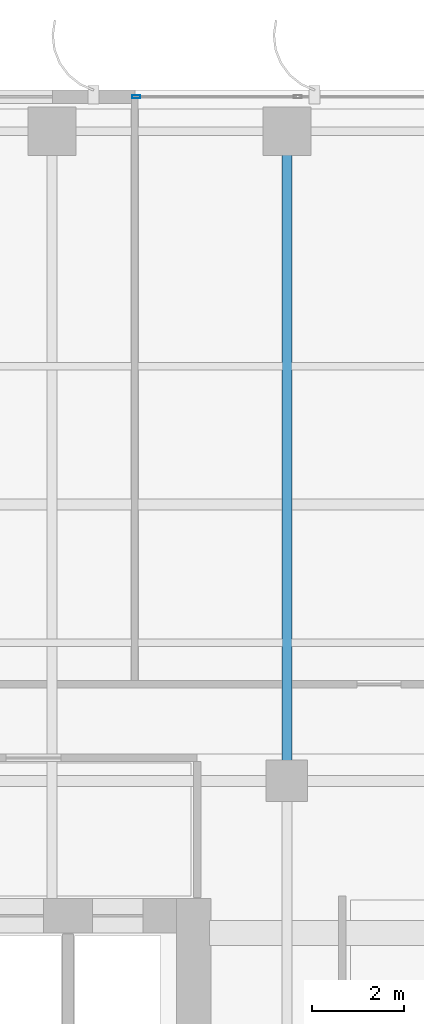
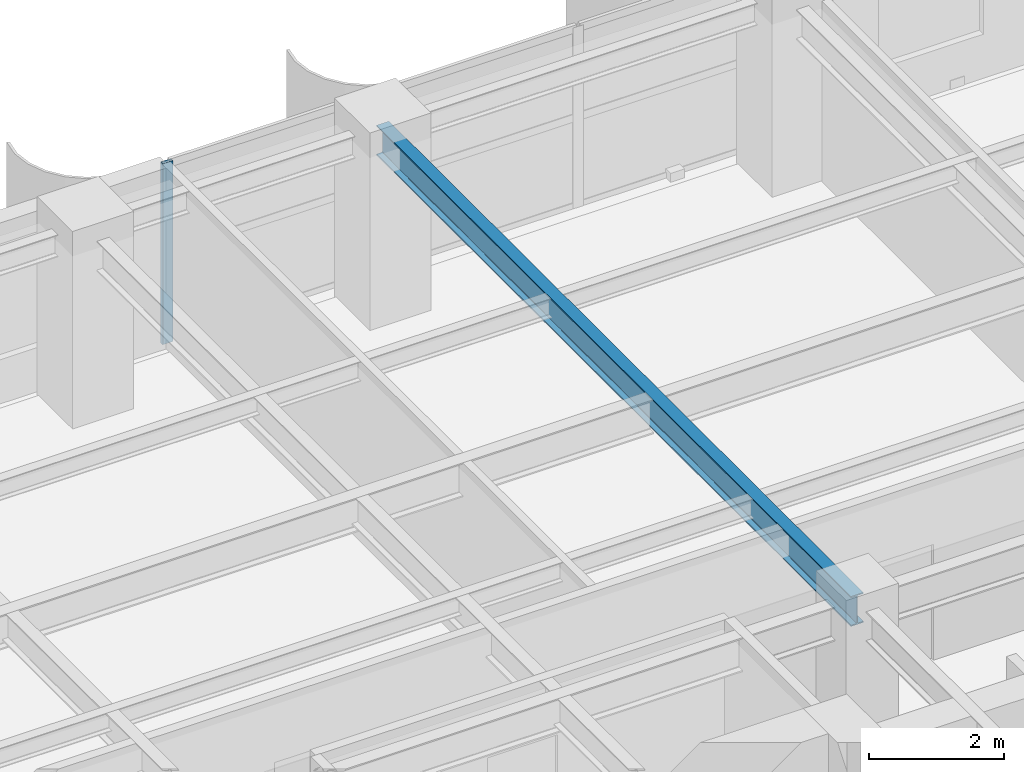
# One storey, part 16 of 28: 1 beam, 1 member, 1 element without a shape of its own.
"""IFC4 building model written with IfcOpenShell, lengths in metres."""

from ifc_helpers import new_model, si_unit, direction, frame, origin, origin_2d, place, context, subcontext, project, spatial, hollow_rectangle, i_section, extrude, source, transform, mapped, material, layer, layer_set, material_profile, profile_set, type_object, element, aggregate, save


model = new_model("IFC4")

# Units and contexts
model_context = context("Model", 3, precision=1e-05, world=origin(), true_north=direction((0.0, 1.0)))
body_context = subcontext(model_context, "Body", "Model", "MODEL_VIEW")
ifc_project = project(units=[si_unit("LENGTHUNIT", "METRE"), si_unit("AREAUNIT", "SQUARE_METRE"), si_unit("VOLUMEUNIT", "CUBIC_METRE"), si_unit("PLANEANGLEUNIT", "RADIAN"), si_unit("MASSUNIT", "GRAM", prefix="KILO")], contexts=[model_context])

# Site, building, storey
site_placement = place(None, origin())
site = spatial("IfcSite", under=ifc_project, at=site_placement, CompositionType="ELEMENT")
building_placement = place(site_placement, origin())
building = spatial("IfcBuilding", under=site, at=building_placement, Name="Khoralis Quay Care Tower", CompositionType="ELEMENT")
storey_placement = place(building_placement, frame((0.0, 0.0, 144.89990234375)))
storey = spatial("IfcBuildingStorey", under=building, at=storey_placement, Name="L38", CompositionType="ELEMENT", Elevation=144.89990234375)

# Beam
ifc_material_1 = material(Name="Steel S355", Category="steel")
ifc_material_profile_1 = material_profile(ifc_material_1, i_section(OverallWidth=0.2119140625, OverallDepth=0.5439453125, WebThickness=0.01318359375, FlangeThickness=0.021240234375, FilletRadius=0.01611328125, at=origin_2d()), Name="Steel S355")
ifc_profile_set_1 = profile_set([ifc_material_profile_1], Name="Steel S355")
beam_type = type_object("IfcBeamType", Name="BM-W530X123", PredefinedType="BEAM", material=ifc_profile_set_1)
shared_shape_1 = source(origin(), body_context, "Body", "SweptSolid", [
    extrude(i_section(OverallWidth=0.2119140625, OverallDepth=0.5439453125, WebThickness=0.01318359375, FlangeThickness=0.021240234375, FilletRadius=0.01611328125, at=origin_2d()), origin(), (0.0, 0.0, 1.0), 14.10009765625),
])
beam_placement = place(storey_placement, frame((17.10009765625, 30.0, 3.008056640625), z_axis=(0.0, 1.0, 0.0), x_axis=(-1.0, 0.0, 0.0)))
element("IfcBeam", 1, at=beam_placement, inside=storey, type_object=beam_type, Name="BM-TGYN-L38-171", PredefinedType="BEAM", context=body_context, shape_type="MappedRepresentation", body=[
    mapped(shared_shape_1, transform((0.0, 0.0, 0.0), scale=1.0)),
])

# Curtain wall, member
ifc_material_2 = material(Name="Pale anodised aluminium", Category="aluminium")
ifc_layer = layer(ifc_material_2, 0.169921875)
ifc_layer_set = layer_set([ifc_layer], Name="Pale anodised aluminium")
curtain_wall_type = type_object("IfcCurtainWallType", Name="CW-SYS-Z2", PredefinedType="NOTDEFINED", material=ifc_layer_set)
curtain_wall_placement = place(storey_placement, origin())
curtain_wall = element("IfcCurtainWall", 2, at=curtain_wall_placement, inside=storey, type_object=curtain_wall_type, Name="L38 Unitised Curtain Wall CW-L38-P1-E10", PredefinedType="NOTDEFINED")
ifc_material_profile_2 = material_profile(ifc_material_2, hollow_rectangle(XDim=0.06494140625, YDim=0.179931640625, WallThickness=0.00390625, at=origin_2d()), Name="Pale anodised aluminium")
ifc_profile_set_2 = profile_set([ifc_material_profile_2], Name="Pale anodised aluminium")
member_type = type_object("IfcMemberType", Name="CW-MUL-180", PredefinedType="MULLION", material=ifc_profile_set_2)
shared_shape_2 = source(origin(), body_context, "Body", "SweptSolid", [
    extrude(hollow_rectangle(XDim=0.06494140625, YDim=0.179931640625, WallThickness=0.00390625, at=origin_2d()), origin(), (0.0, 0.0, 1.0), 3.280029296875),
])
member_placement = place(storey_placement, frame((13.830078125, 44.85009765625, 0.0), z_axis=(0.0, 0.0, 1.0), x_axis=(0.0, -1.0, 0.0)))
member = element("IfcMember", 3, at=member_placement, type_object=member_type, Name="CW2 mullion 4", PredefinedType="MULLION", context=body_context, shape_type="MappedRepresentation", body=[
    mapped(shared_shape_2, transform((0.0, 0.0, 0.0), scale=1.0)),
])
aggregate(curtain_wall, [member])

save(model, "model.ifc")
